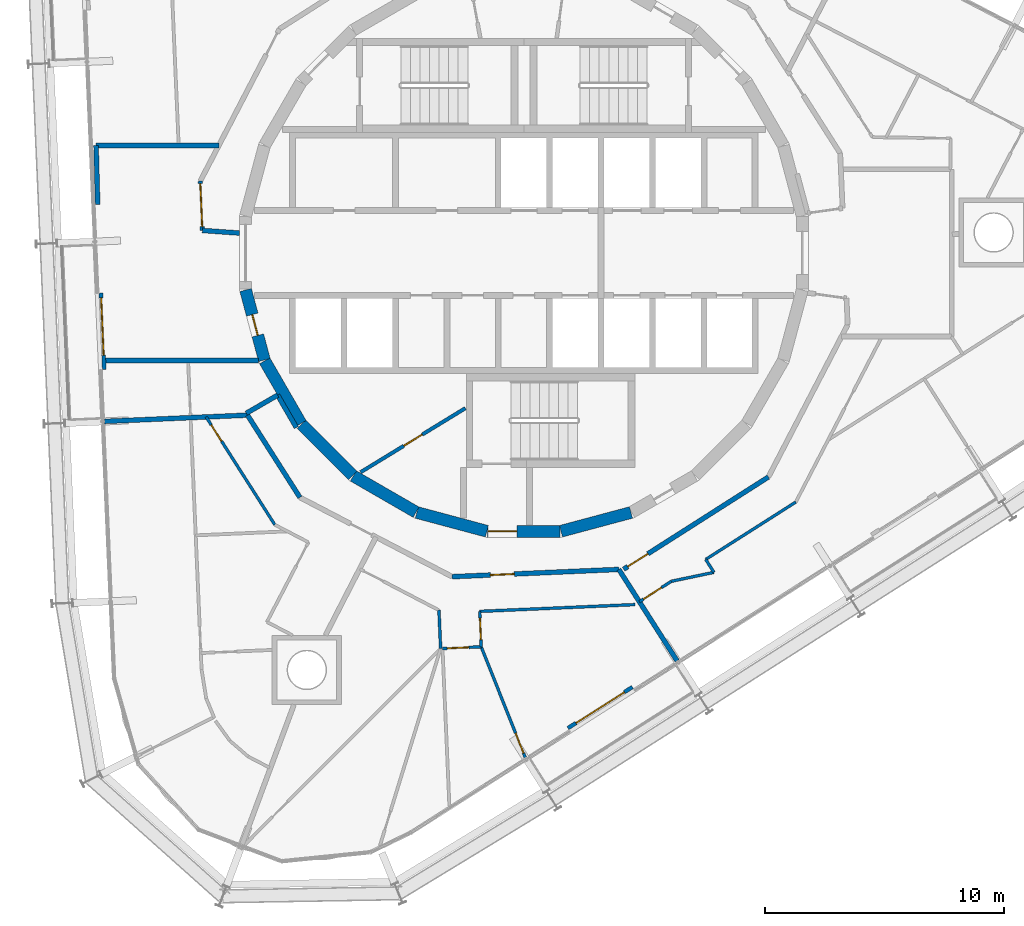
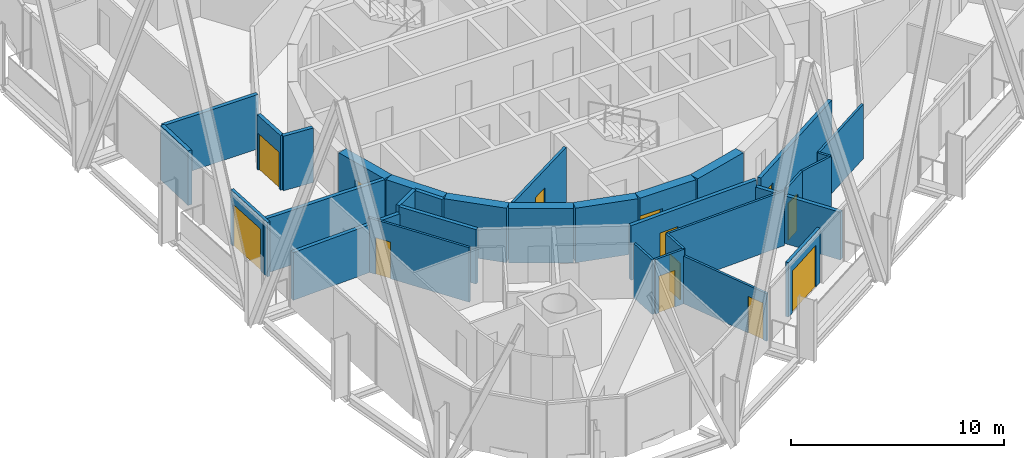
# One storey, part 12 of 18: 32 walls, 13 doors, 13 openings.
"""IFC4 building model written with IfcOpenShell, lengths in metres."""

from ifc_helpers import new_model, si_unit, direction, frame, frame_2d, origin, place, context, subcontext, project, spatial, rectangle, extrude, material, layer, layer_set, type_object, element, fill, save


model = new_model("IFC4")

# Units and contexts
model_context = context("Model", 3, precision=1e-05, world=origin(), true_north=direction((0.0, 1.0)))
body_context = subcontext(model_context, "Body", "Model", "MODEL_VIEW")
ifc_project = project(units=[si_unit("LENGTHUNIT", "METRE"), si_unit("AREAUNIT", "SQUARE_METRE"), si_unit("VOLUMEUNIT", "CUBIC_METRE"), si_unit("PLANEANGLEUNIT", "RADIAN"), si_unit("MASSUNIT", "GRAM", prefix="KILO")], contexts=[model_context])

# Site, building, storey
site_placement = place(None, origin())
site = spatial("IfcSite", under=ifc_project, at=site_placement, CompositionType="ELEMENT")
building_placement = place(site_placement, origin())
building = spatial("IfcBuilding", under=site, at=building_placement, Name="Spindle Arch Residences", CompositionType="ELEMENT")
storey_placement = place(building_placement, frame((0.0, 0.0, 240.699951171875)))
storey = spatial("IfcBuildingStorey", under=building, at=storey_placement, Name="L61", CompositionType="ELEMENT", Elevation=240.699951171875)

# Wall
ifc_material_1 = material(Name="Concrete C50/60", Category="concrete")
ifc_layer_1 = layer(ifc_material_1, 0.5)
ifc_layer_set_1 = layer_set([ifc_layer_1], Name="Core outline wall 500")
wall_type_1 = type_object("IfcWallType", Name="Core outline wall 500", PredefinedType="SHEAR", material=ifc_layer_set_1)
wall_1_placement = place(storey_placement, frame((1.5498046875, -11.642822265625, 0.0), z_axis=(0.0, 0.0, 1.0), x_axis=(0.965948410781, 0.258734743916, 0.0)))
element("IfcWall", 1, at=wall_1_placement, inside=storey, type_object=wall_type_1, Name="Core outline wall 1", PredefinedType="SHEAR", context=body_context, shape_type="SweptSolid", body=[
    extrude(rectangle(XDim=3.03271484375, YDim=0.5, at=frame_2d((1.516357421875, 0.0))), origin(), (0.0, 0.0, 1.0), 3.1201171875),
])

# Wall, opening, door
wall_2_placement = place(storey_placement, frame((-11.642822265625, -1.5498046875, 0.0), z_axis=(0.0, 0.0, 1.0), x_axis=(0.258734743916, -0.965948410781, 0.0)))
wall_2 = element("IfcWall", 2, at=wall_2_placement, inside=storey, type_object=wall_type_1, Name="Core outline wall 19", PredefinedType="SHEAR", context=body_context, shape_type="SweptSolid", body=[
    extrude(rectangle(XDim=3.03271484375, YDim=0.5, at=frame_2d((1.516357421875, 0.0))), origin(), (0.0, 0.0, 1.0), 3.1201171875),
])
opening_1_placement = place(wall_2_placement, frame((1.06640625, 0.0, 0.0)))
opening_1 = element("IfcOpeningElement", 3, at=opening_1_placement, cuts=wall_2, Name="Opening R6B0-WD11", PredefinedType="OPENING", context=body_context, shape_type="SweptSolid", body=[
    extrude(rectangle(XDim=0.89990234375, YDim=2.10009765625, at=frame_2d((0.449951171875, 1.050048828125))), frame((0.0, 0.260009765625, 0.0), z_axis=(0.0, -1.0, 0.0), x_axis=(1.0, 0.0, 0.0)), (0.0, 0.0, 1.0), 0.52001953125),
])
ifc_material_2 = material(Name="Steel, fire-resisting door", Category="steel")
door_type_1 = type_object("IfcDoorType", Name="Service room door 900x2100", OperationType="SINGLE_SWING_LEFT", PredefinedType="DOOR", material=ifc_material_2)
door_1_placement = place(opening_1_placement, origin())
door_1 = element("IfcDoor", 4, at=door_1_placement, inside=storey, type_object=door_type_1, Name="Service room door R6B0-WD11", OperationType="SINGLE_SWING_LEFT", OverallHeight=2.10009765625, OverallWidth=0.89990234375, PredefinedType="DOOR", context=body_context, shape_type="SweptSolid", body=[
    extrude(rectangle(XDim=0.89990234375, YDim=2.10009765625, at=frame_2d((0.449951171875, 1.050048828125))), frame((0.0, 0.02490234375, 0.0), z_axis=(0.0, -1.0, 0.0), x_axis=(1.0, 0.0, 0.0)), (0.0, 0.0, 1.0), 0.050048828125),
])
fill(opening_1, door_1)

# Walls
wall_3_placement = place(storey_placement, frame((-10.84521484375, -4.510498046875, 0.0), z_axis=(0.0, 0.0, 1.0), x_axis=(0.500087131594, -0.865975092491, 0.0)))
element("IfcWall", 5, at=wall_3_placement, inside=storey, type_object=wall_type_1, Name="Core outline wall 20", PredefinedType="SHEAR", context=body_context, shape_type="SweptSolid", body=[
    extrude(rectangle(XDim=3.03271484375, YDim=0.5, at=frame_2d((1.516357421875, 0.0))), origin(), (0.0, 0.0, 1.0), 3.1201171875),
])
wall_4_placement = place(storey_placement, frame((-9.30810546875, -7.163818359375, 0.0), z_axis=(0.0, 0.0, 1.0), x_axis=(0.707106781187, -0.707106781187, 0.0)))
element("IfcWall", 6, at=wall_4_placement, inside=storey, type_object=wall_type_1, Name="Core outline wall 21", PredefinedType="SHEAR", context=body_context, shape_type="SweptSolid", body=[
    extrude(rectangle(XDim=3.032470703125, YDim=0.5, at=frame_2d((1.51611328125, 0.0))), origin(), (0.0, 0.0, 1.0), 3.1201171875),
])
for number, where, z_axis, x_axis, name in (
    (7, (-7.13671875, -9.32861328125, 0.0), (0.0, 0.0, 1.0), (0.865975092491, -0.500087131594, 0.0), "Core outline wall 22"),
    (8, (-4.479248046875, -10.858154296875, 0.0), (0.0, 0.0, 1.0), (0.965948410781, -0.258734743916, 0.0), "Core outline wall 23"),
):
    element("IfcWall", number, at=place(storey_placement, frame(where, z_axis=z_axis, x_axis=x_axis)), inside=storey, type_object=wall_type_1, Name=name, PredefinedType="SHEAR", context=body_context, shape_type="SweptSolid", body=[
        extrude(rectangle(XDim=3.03271484375, YDim=0.5, at=frame_2d((1.516357421875, 0.0))), origin(), (0.0, 0.0, 1.0), 3.1201171875),
    ])

# Wall, opening, door
wall_5_placement = place(storey_placement, frame((-1.516357421875, -11.647216796875, 0.0), z_axis=(0.0, 0.0, 1.0), x_axis=(1.0, 0.0, 0.0)))
wall_5 = element("IfcWall", 9, at=wall_5_placement, inside=storey, type_object=wall_type_1, Name="Core outline wall 24", PredefinedType="SHEAR", context=body_context, shape_type="SweptSolid", body=[
    extrude(rectangle(XDim=3.03271484375, YDim=0.5, at=frame_2d((1.516357421875, 0.0))), origin(), (0.0, 0.0, 1.0), 3.1201171875),
])
opening_2_placement = place(wall_5_placement, frame((0.016357421875, 0.0, 0.0)))
opening_2 = element("IfcOpeningElement", 10, at=opening_2_placement, cuts=wall_5, Name="Opening R6B0-AD03", PredefinedType="OPENING", context=body_context, shape_type="SweptSolid", body=[
    extrude(rectangle(XDim=1.199951171875, YDim=2.10009765625, at=frame_2d((0.60009765625, 1.050048828125))), frame((0.0, 0.260009765625, 0.0), z_axis=(0.0, -1.0, 0.0), x_axis=(1.0, 0.0, 0.0)), (0.0, 0.0, 1.0), 0.52001953125),
])
ifc_material_3 = material(Name="Steel, fire-resisting door", Category="steel")
door_type_2 = type_object("IfcDoorType", Name="Stair airlock door 1200x2100", OperationType="SINGLE_SWING_LEFT", PredefinedType="DOOR", material=ifc_material_3)
door_2_placement = place(opening_2_placement, origin())
door_2 = element("IfcDoor", 11, at=door_2_placement, inside=storey, type_object=door_type_2, Name="Stair airlock door R6B0-AD03", OperationType="SINGLE_SWING_RIGHT", OverallHeight=2.10009765625, OverallWidth=1.199951171875, PredefinedType="DOOR", context=body_context, shape_type="SweptSolid", body=[
    extrude(rectangle(XDim=1.199951171875, YDim=2.10009765625, at=frame_2d((0.60009765625, 1.050048828125))), frame((0.0, 0.02490234375, 0.0), z_axis=(0.0, -1.0, 0.0), x_axis=(1.0, 0.0, 0.0)), (0.0, 0.0, 1.0), 0.050048828125),
])
fill(opening_2, door_2)

# Walls
ifc_material_4 = material(Name="Calcium silicate block, plastered")
ifc_layer_2 = layer(ifc_material_4, 0.199951171875)
ifc_layer_set_2 = layer_set([ifc_layer_2], Name="Corridor wall 200")
wall_type_2 = type_object("IfcWallType", Name="Corridor wall 200", PredefinedType="STANDARD", material=ifc_layer_set_2)
wall_6_placement = place(storey_placement, frame((-10.303466796875, -5.94873046875, 0.0), z_axis=(0.0, 0.0, 1.0), x_axis=(-0.866043382451, -0.499968858743, 0.0)))
element("IfcWall", 12, at=wall_6_placement, inside=storey, type_object=wall_type_2, Name="Corridor wall R6B0-W016", PredefinedType="STANDARD", context=body_context, shape_type="SweptSolid", body=[
    extrude(rectangle(XDim=1.51513671875, YDim=0.199951171875, at=frame_2d((0.757568359375, 0.0))), origin(), (0.0, 0.0, 1.0), 3.1201171875),
])
wall_7_placement = place(storey_placement, frame((-9.520263671875, -7.30517578125, 0.0), z_axis=(0.0, 0.0, 1.0), x_axis=(-0.500028278809, 0.866009076391, 0.0)))
element("IfcWall", 13, at=wall_7_placement, inside=storey, type_object=wall_type_2, Name="Corridor wall R6B0-W017", PredefinedType="STANDARD", context=body_context, shape_type="SweptSolid", body=[
    extrude(rectangle(XDim=1.56640625, YDim=0.199951171875, at=frame_2d((0.783203125, 0.0))), origin(), (0.0, 0.0, 1.0), 3.1201171875),
])
wall_8_placement = place(storey_placement, frame((-11.565185546875, -6.785888671875, 0.0), z_axis=(0.0, 0.0, 1.0), x_axis=(0.537297327359, -0.843392898958, 0.0)))
element("IfcWall", 14, at=wall_8_placement, inside=storey, type_object=wall_type_2, Name="Corridor wall R6B0-W018", PredefinedType="STANDARD", context=body_context, shape_type="SweptSolid", body=[
    extrude(rectangle(XDim=4.081298828125, YDim=0.199951171875, at=frame_2d((2.04052734375, 0.0))), origin(), (0.0, 0.0, 1.0), 3.1201171875),
])

# Wall, opening, door
wall_9_placement = place(storey_placement, frame((-3.002685546875, -13.5439453125, 0.0), z_axis=(0.0, 0.0, 1.0), x_axis=(0.999048221872, 0.043619380718, 0.0)))
wall_9 = element("IfcWall", 15, at=wall_9_placement, inside=storey, type_object=wall_type_2, Name="Corridor wall R6B0-W020", PredefinedType="STANDARD", context=body_context, shape_type="SweptSolid", body=[
    extrude(rectangle(XDim=6.9794921875, YDim=0.199951171875, at=frame_2d((3.48974609375, 0.0))), origin(), (0.0, 0.0, 1.0), 3.1201171875),
])
opening_3_placement = place(wall_9_placement, frame((1.60009765625, 0.0, 0.0)))
opening_3 = element("IfcOpeningElement", 16, at=opening_3_placement, cuts=wall_9, Name="Opening R6B0-FD05", PredefinedType="OPENING", context=body_context, shape_type="SweptSolid", body=[
    extrude(rectangle(XDim=1.0, YDim=2.10009765625, at=frame_2d((0.5, 1.050048828125))), frame((0.0, 0.10986328125, 0.0), z_axis=(0.0, -1.0, 0.0), x_axis=(1.0, 0.0, 0.0)), (0.0, 0.0, 1.0), 0.219970703125),
])
ifc_material_5 = material(Name="Timber, fire-resisting door set", Category="wood")
door_type_3 = type_object("IfcDoorType", Name="Flat entrance door 1000x2100", OperationType="NOTDEFINED", PredefinedType="DOOR", material=ifc_material_5)
door_3_placement = place(opening_3_placement, origin())
door_3 = element("IfcDoor", 17, at=door_3_placement, inside=storey, type_object=door_type_3, Name="Flat entrance door R6B0-FD05", OperationType="SINGLE_SWING_LEFT", OverallHeight=2.10009765625, OverallWidth=1.0, PredefinedType="DOOR", context=body_context, shape_type="SweptSolid", body=[
    extrude(rectangle(XDim=1.0, YDim=2.10009765625, at=frame_2d((0.5, 1.050048828125))), frame((0.0, 0.02490234375, 0.0), z_axis=(0.0, -1.0, 0.0), x_axis=(1.0, 0.0, 0.0)), (0.0, 0.0, 1.0), 0.050048828125),
])
fill(opening_3, door_3)

wall_10_placement = place(storey_placement, frame((4.171630859375, -13.230712890625, 0.0), z_axis=(0.0, 0.0, 1.0), x_axis=(0.843388394728, 0.537304397561, 0.0)))
wall_10 = element("IfcWall", 18, at=wall_10_placement, inside=storey, type_object=wall_type_2, Name="Corridor wall R6B0-W021", PredefinedType="STANDARD", context=body_context, shape_type="SweptSolid", body=[
    extrude(rectangle(XDim=7.180908203125, YDim=0.199951171875, at=frame_2d((3.59033203125, 0.0))), origin(), (0.0, 0.0, 1.0), 3.1201171875),
])
opening_4_placement = place(wall_10_placement, frame((0.199951171875, 0.0, 0.0)))
opening_4 = element("IfcOpeningElement", 19, at=opening_4_placement, cuts=wall_10, Name="Opening R6B0-FD06", PredefinedType="OPENING", context=body_context, shape_type="SweptSolid", body=[
    extrude(rectangle(XDim=1.0, YDim=2.10009765625, at=frame_2d((0.5, 1.050048828125))), frame((0.0, 0.10986328125, 0.0), z_axis=(0.0, -1.0, 0.0), x_axis=(1.0, 0.0, 0.0)), (0.0, 0.0, 1.0), 0.219970703125),
])
door_4_placement = place(opening_4_placement, origin())
door_4 = element("IfcDoor", 20, at=door_4_placement, inside=storey, type_object=door_type_3, Name="Flat entrance door R6B0-FD06", OperationType="SINGLE_SWING_LEFT", OverallHeight=2.10009765625, OverallWidth=1.0, PredefinedType="DOOR", context=body_context, shape_type="SweptSolid", body=[
    extrude(rectangle(XDim=1.0, YDim=2.10009765625, at=frame_2d((0.5, 1.050048828125))), frame((0.0, 0.02490234375, 0.0), z_axis=(0.0, -1.0, 0.0), x_axis=(1.0, 0.0, 0.0)), (0.0, 0.0, 1.0), 0.050048828125),
])
fill(opening_4, door_4)

ifc_material_6 = material(Name="Plasterboard on steel studs", Category="steel")
ifc_layer_3 = layer(ifc_material_6, 0.1201171875)
ifc_layer_set_3 = layer_set([ifc_layer_3], Name="Flat partition 120")
wall_type_3 = type_object("IfcWallType", Name="Flat partition 120", PredefinedType="PARTITIONING", material=ifc_layer_set_3)
wall_11_placement = place(storey_placement, frame((-13.29541015625, -6.861572265625, 0.0), z_axis=(0.0, 0.0, 1.0), x_axis=(0.537285929223, -0.84340016022, 0.0)))
wall_11 = element("IfcWall", 21, at=wall_11_placement, inside=storey, type_object=wall_type_3, Name="Flat partition R6B0-W073", PredefinedType="PARTITIONING", context=body_context, shape_type="SweptSolid", body=[
    extrude(rectangle(XDim=5.34912109375, YDim=0.1201171875, at=frame_2d((2.674560546875, 0.0))), origin(), (0.0, 0.0, 1.0), 3.1201171875),
])
opening_5_placement = place(wall_11_placement, frame((0.39990234375, 0.0, 0.0)))
opening_5 = element("IfcOpeningElement", 22, at=opening_5_placement, cuts=wall_11, Name="Opening R6B0-BD04", PredefinedType="OPENING", context=body_context, shape_type="SweptSolid", body=[
    extrude(rectangle(XDim=0.800048828125, YDim=2.10009765625, at=frame_2d((0.39990234375, 1.050048828125))), frame((0.0, 0.070068359375, 0.0), z_axis=(0.0, -1.0, 0.0), x_axis=(1.0, 0.0, 0.0)), (0.0, 0.0, 1.0), 0.14013671875),
])
ifc_material_7 = material(Name="Timber door set", Category="wood")
door_type_4 = type_object("IfcDoorType", Name="Bathroom door 800x2100", OperationType="NOTDEFINED", PredefinedType="DOOR", material=ifc_material_7)
door_5_placement = place(opening_5_placement, origin())
door_5 = element("IfcDoor", 23, at=door_5_placement, inside=storey, type_object=door_type_4, Name="Bathroom door R6B0-BD04", OperationType="SINGLE_SWING_RIGHT", OverallHeight=2.10009765625, OverallWidth=0.800048828125, PredefinedType="DOOR", context=body_context, shape_type="SweptSolid", body=[
    extrude(rectangle(XDim=0.800048828125, YDim=2.10009765625, at=frame_2d((0.39990234375, 1.050048828125))), frame((0.0, 0.02490234375, 0.0), z_axis=(0.0, -1.0, 0.0), x_axis=(1.0, 0.0, 0.0)), (0.0, 0.0, 1.0), 0.050048828125),
])
fill(opening_5, door_5)

# Wall
wall_12_placement = place(storey_placement, frame((-3.555419921875, -14.947021484375, 0.0), z_axis=(0.0, 0.0, 1.0), x_axis=(0.043470204022, -0.999054723908, 0.0)))
element("IfcWall", 24, at=wall_12_placement, inside=storey, type_object=wall_type_3, Name="Flat partition R6B0-W086", PredefinedType="PARTITIONING", context=body_context, shape_type="SweptSolid", body=[
    extrude(rectangle(XDim=1.606201171875, YDim=0.1201171875, at=frame_2d((0.80322265625, 0.0))), origin(), (0.0, 0.0, 1.0), 3.1201171875),
])

# Wall, opening, door
wall_13_placement = place(storey_placement, frame((-3.40673828125, -16.54833984375, 0.0), z_axis=(0.0, 0.0, 1.0), x_axis=(0.999045901572, 0.043672491929, 0.0)))
wall_13 = element("IfcWall", 25, at=wall_13_placement, inside=storey, type_object=wall_type_3, Name="Flat partition R6B0-W087", PredefinedType="PARTITIONING", context=body_context, shape_type="SweptSolid", body=[
    extrude(rectangle(XDim=1.62109375, YDim=0.1201171875, at=frame_2d((0.810546875, 0.0))), origin(), (0.0, 0.0, 1.0), 3.1201171875),
])
opening_6_placement = place(wall_13_placement, frame((0.199951171875, 0.0, 0.0)))
opening_6 = element("IfcOpeningElement", 26, at=opening_6_placement, cuts=wall_13, Name="Opening R6B0-ID19", PredefinedType="OPENING", context=body_context, shape_type="SweptSolid", body=[
    extrude(rectangle(XDim=0.89990234375, YDim=2.10009765625, at=frame_2d((0.449951171875, 1.050048828125))), frame((0.0, 0.070068359375, 0.0), z_axis=(0.0, -1.0, 0.0), x_axis=(1.0, 0.0, 0.0)), (0.0, 0.0, 1.0), 0.14013671875),
])
ifc_material_8 = material(Name="Timber door set", Category="wood")
door_type_5 = type_object("IfcDoorType", Name="Room door 900x2100", OperationType="NOTDEFINED", PredefinedType="DOOR", material=ifc_material_8)
door_6_placement = place(opening_6_placement, origin())
door_6 = element("IfcDoor", 27, at=door_6_placement, inside=storey, type_object=door_type_5, Name="Room door R6B0-ID19", OperationType="SINGLE_SWING_LEFT", OverallHeight=2.10009765625, OverallWidth=0.89990234375, PredefinedType="DOOR", context=body_context, shape_type="SweptSolid", body=[
    extrude(rectangle(XDim=0.89990234375, YDim=2.10009765625, at=frame_2d((0.449951171875, 1.050048828125))), frame((0.0, 0.02490234375, 0.0), z_axis=(0.0, -1.0, 0.0), x_axis=(1.0, 0.0, 0.0)), (0.0, 0.0, 1.0), 0.050048828125),
])
fill(opening_6, door_6)

wall_14_placement = place(storey_placement, frame((-1.787109375, -16.4775390625, 0.0), z_axis=(0.0, 0.0, 1.0), x_axis=(-0.043601447011, 0.999049004713, 0.0)))
wall_14 = element("IfcWall", 28, at=wall_14_placement, inside=storey, type_object=wall_type_3, Name="Flat partition R6B0-W088", PredefinedType="PARTITIONING", context=body_context, shape_type="SweptSolid", body=[
    extrude(rectangle(XDim=1.48388671875, YDim=0.1201171875, at=frame_2d((0.741943359375, 0.0))), origin(), (0.0, 0.0, 1.0), 3.1201171875),
])
opening_7_placement = place(wall_14_placement, frame((0.300048828125, 0.0, 0.0)))
opening_7 = element("IfcOpeningElement", 29, at=opening_7_placement, cuts=wall_14, Name="Opening R6B0-ID20", PredefinedType="OPENING", context=body_context, shape_type="SweptSolid", body=[
    extrude(rectangle(XDim=0.89990234375, YDim=2.10009765625, at=frame_2d((0.449951171875, 1.050048828125))), frame((0.0, 0.070068359375, 0.0), z_axis=(0.0, -1.0, 0.0), x_axis=(1.0, 0.0, 0.0)), (0.0, 0.0, 1.0), 0.14013671875),
])
door_7_placement = place(opening_7_placement, origin())
door_7 = element("IfcDoor", 30, at=door_7_placement, inside=storey, type_object=door_type_5, Name="Room door R6B0-ID20", OperationType="SINGLE_SWING_LEFT", OverallHeight=2.10009765625, OverallWidth=0.89990234375, PredefinedType="DOOR", context=body_context, shape_type="SweptSolid", body=[
    extrude(rectangle(XDim=0.89990234375, YDim=2.10009765625, at=frame_2d((0.449951171875, 1.050048828125))), frame((0.0, 0.02490234375, 0.0), z_axis=(0.0, -1.0, 0.0), x_axis=(1.0, 0.0, 0.0)), (0.0, 0.0, 1.0), 0.050048828125),
])
fill(opening_7, door_7)

# Wall
wall_15_placement = place(storey_placement, frame((-1.851806640625, -14.9951171875, 0.0), z_axis=(0.0, 0.0, 1.0), x_axis=(0.999047773092, 0.043629658249, 0.0)))
element("IfcWall", 31, at=wall_15_placement, inside=storey, type_object=wall_type_3, Name="Flat partition R6B0-W089", PredefinedType="PARTITIONING", context=body_context, shape_type="SweptSolid", body=[
    extrude(rectangle(XDim=6.49658203125, YDim=0.1201171875, at=frame_2d((3.248291015625, 0.0))), origin(), (0.0, 0.0, 1.0), 3.1201171875),
])

# Wall, opening, door
wall_16_placement = place(storey_placement, frame((4.830322265625, -14.589599609375, 0.0), z_axis=(0.0, 0.0, 1.0), x_axis=(0.843395898817, 0.537292618467, 0.0)))
wall_16 = element("IfcWall", 32, at=wall_16_placement, inside=storey, type_object=wall_type_3, Name="Flat partition R6B0-W094", PredefinedType="PARTITIONING", context=body_context, shape_type="SweptSolid", body=[
    extrude(rectangle(XDim=1.59033203125, YDim=0.1201171875, at=frame_2d((0.795166015625, 0.0))), origin(), (0.0, 0.0, 1.0), 3.1201171875),
])
opening_8_placement = place(wall_16_placement, frame((0.199951171875, 0.0, 0.0)))
opening_8 = element("IfcOpeningElement", 33, at=opening_8_placement, cuts=wall_16, Name="Opening R6B0-ID23", PredefinedType="OPENING", context=body_context, shape_type="SweptSolid", body=[
    extrude(rectangle(XDim=0.89990234375, YDim=2.10009765625, at=frame_2d((0.449951171875, 1.050048828125))), frame((0.0, 0.070068359375, 0.0), z_axis=(0.0, -1.0, 0.0), x_axis=(1.0, 0.0, 0.0)), (0.0, 0.0, 1.0), 0.14013671875),
])
door_8_placement = place(opening_8_placement, origin())
door_8 = element("IfcDoor", 34, at=door_8_placement, inside=storey, type_object=door_type_5, Name="Room door R6B0-ID23", OperationType="SINGLE_SWING_LEFT", OverallHeight=2.10009765625, OverallWidth=0.89990234375, PredefinedType="DOOR", context=body_context, shape_type="SweptSolid", body=[
    extrude(rectangle(XDim=0.89990234375, YDim=2.10009765625, at=frame_2d((0.449951171875, 1.050048828125))), frame((0.0, 0.02490234375, 0.0), z_axis=(0.0, -1.0, 0.0), x_axis=(1.0, 0.0, 0.0)), (0.0, 0.0, 1.0), 0.050048828125),
])
fill(opening_8, door_8)

# Walls
wall_17_placement = place(storey_placement, frame((6.171630859375, -13.735107421875, 0.0), z_axis=(0.0, 0.0, 1.0), x_axis=(0.978659442958, 0.205488916271, 0.0)))
element("IfcWall", 35, at=wall_17_placement, inside=storey, type_object=wall_type_3, Name="Flat partition R6B0-W095", PredefinedType="PARTITIONING", context=body_context, shape_type="SweptSolid", body=[
    extrude(rectangle(XDim=1.816650390625, YDim=0.1201171875, at=frame_2d((0.908203125, 0.0))), origin(), (0.0, 0.0, 1.0), 3.1201171875),
])
wall_18_placement = place(storey_placement, frame((7.949462890625, -13.36181640625, 0.0), z_axis=(0.0, 0.0, 1.0), x_axis=(-0.537343932066, 0.843363206852, 0.0)))
element("IfcWall", 36, at=wall_18_placement, inside=storey, type_object=wall_type_3, Name="Flat partition R6B0-W096", PredefinedType="PARTITIONING", context=body_context, shape_type="SweptSolid", body=[
    extrude(rectangle(XDim=0.640625, YDim=0.1201171875, at=frame_2d((0.3203125, 0.0))), origin(), (0.0, 0.0, 1.0), 3.1201171875),
])
wall_19_placement = place(storey_placement, frame((7.605224609375, -12.821533203125, 0.0), z_axis=(0.0, 0.0, 1.0), x_axis=(0.843413865585, 0.537264414733, 0.0)))
element("IfcWall", 37, at=wall_19_placement, inside=storey, type_object=wall_type_3, Name="Flat partition R6B0-W097", PredefinedType="PARTITIONING", context=body_context, shape_type="SweptSolid", body=[
    extrude(rectangle(XDim=4.46728515625, YDim=0.1201171875, at=frame_2d((2.233642578125, 0.0))), origin(), (0.0, 0.0, 1.0), 3.1201171875),
])

# Wall, opening, door
ifc_material_9 = material(Name="Plasterboard on steel studs", Category="steel")
ifc_layer_4 = layer(ifc_material_9, 0.1201171875)
ifc_layer_set_4 = layer_set([ifc_layer_4], Name="Flat partition 120 under beam 2730")
wall_type_4 = type_object("IfcWallType", Name="Flat partition 120 under beam 2730", PredefinedType="PARTITIONING", material=ifc_layer_set_4)
wall_20_placement = place(storey_placement, frame((0.05615234375, -21.110107421875, 0.0), z_axis=(0.0, 0.0, 1.0), x_axis=(-0.369701541807, 0.929150563679, 0.0)))
wall_20 = element("IfcWall", 38, at=wall_20_placement, inside=storey, type_object=wall_type_4, Name="Flat partition R6B0-W093", PredefinedType="PARTITIONING", context=body_context, shape_type="SweptSolid", body=[
    extrude(rectangle(XDim=4.98583984375, YDim=0.1201171875, at=frame_2d((2.492919921875, 0.0))), origin(), (0.0, 0.0, 1.0), 2.72998046875),
])
opening_9_placement = place(wall_20_placement, frame((0.199951171875, 0.0, 0.0)))
opening_9 = element("IfcOpeningElement", 39, at=opening_9_placement, cuts=wall_20, Name="Opening R6B0-ID22", PredefinedType="OPENING", context=body_context, shape_type="SweptSolid", body=[
    extrude(rectangle(XDim=0.89990234375, YDim=2.10009765625, at=frame_2d((0.449951171875, 1.050048828125))), frame((0.0, 0.070068359375, 0.0), z_axis=(0.0, -1.0, 0.0), x_axis=(1.0, 0.0, 0.0)), (0.0, 0.0, 1.0), 0.14013671875),
])
door_9_placement = place(opening_9_placement, origin())
door_9 = element("IfcDoor", 40, at=door_9_placement, inside=storey, type_object=door_type_5, Name="Room door R6B0-ID22", OperationType="SINGLE_SWING_LEFT", OverallHeight=2.10009765625, OverallWidth=0.89990234375, PredefinedType="DOOR", context=body_context, shape_type="SweptSolid", body=[
    extrude(rectangle(XDim=0.89990234375, YDim=2.10009765625, at=frame_2d((0.449951171875, 1.050048828125))), frame((0.0, 0.02490234375, 0.0), z_axis=(0.0, -1.0, 0.0), x_axis=(1.0, 0.0, 0.0)), (0.0, 0.0, 1.0), 0.050048828125),
])
fill(opening_9, door_9)

# Walls
ifc_material_10 = material(Name="Calcium silicate block, plastered")
ifc_layer_5 = layer(ifc_material_10, 0.199951171875)
ifc_layer_set_5 = layer_set([ifc_layer_5], Name="Flat party wall 200 under beam 2730")
wall_type_5 = type_object("IfcWallType", Name="Flat party wall 200 under beam 2730", PredefinedType="STANDARD", material=ifc_layer_set_5)
wall_21_placement = place(storey_placement, frame((-17.543701171875, -7.047119140625, 0.0), z_axis=(0.0, 0.0, 1.0), x_axis=(0.999046743906, 0.043653218555, 0.0)))
element("IfcWall", 41, at=wall_21_placement, inside=storey, type_object=wall_type_5, Name="Flat party wall R6B0-W034", PredefinedType="STANDARD", context=body_context, shape_type="SweptSolid", body=[
    extrude(rectangle(XDim=5.984130859375, YDim=0.199951171875, at=frame_2d((2.9921875, 0.0))), origin(), (0.0, 0.0, 1.0), 2.72998046875),
])
wall_22_placement = place(storey_placement, frame((6.406982421875, -17.064208984375, 0.0), z_axis=(0.0, 0.0, 1.0), x_axis=(-0.537324777979, 0.843375410461, 0.0)))
element("IfcWall", 42, at=wall_22_placement, inside=storey, type_object=wall_type_5, Name="Flat party wall R6B0-W037", PredefinedType="STANDARD", context=body_context, shape_type="SweptSolid", body=[
    extrude(rectangle(XDim=4.534912109375, YDim=0.199951171875, at=frame_2d((2.267578125, 0.0))), origin(), (0.0, 0.0, 1.0), 2.72998046875),
])

# Wall, opening, door
ifc_material_11 = material(Name="Non-combustible mineral wool insulated aluminium faced external wall (K0)", Category="aluminium")
ifc_layer_6 = layer(ifc_material_11, 0.159912109375)
ifc_layer_set_6 = layer_set([ifc_layer_6], Name="Insulated external wall panel 160")
wall_type_6 = type_object("IfcWallType", Name="Insulated external wall panel 160", PredefinedType="STANDARD", material=ifc_layer_set_6)
wall_23_placement = place(storey_placement, frame((-17.69775390625, -1.68359375, 0.0), z_axis=(0.0, 0.0, 1.0), x_axis=(0.043639181999, -0.999047357133, 0.0)))
wall_23 = element("IfcWall", 43, at=wall_23_placement, inside=storey, type_object=wall_type_6, Name="External wall L61 bay 15", PredefinedType="STANDARD", context=body_context, shape_type="SweptSolid", body=[
    extrude(rectangle(XDim=3.199951171875, YDim=0.159912109375, at=frame_2d((1.60009765625, 0.0))), origin(), (0.0, 0.0, 1.0), 3.1201171875),
])
opening_10_placement = place(wall_23_placement, frame((0.199951171875, 0.0, 0.0)))
opening_10 = element("IfcOpeningElement", 44, at=opening_10_placement, cuts=wall_23, Name="Opening BD15", PredefinedType="OPENING", context=body_context, shape_type="SweptSolid", body=[
    extrude(rectangle(XDim=2.39990234375, YDim=2.39990234375, at=frame_2d((1.199951171875, 1.199951171875))), frame((0.0, 0.08984375, 0.0), z_axis=(0.0, -1.0, 0.0), x_axis=(1.0, 0.0, 0.0)), (0.0, 0.0, 1.0), 0.179931640625),
])
ifc_material_12 = material(Name="Bronze aluminium frame, tinted double glazing", Category="aluminium")
door_type_6 = type_object("IfcDoorType", Name="Sliding glazed balcony door 2400x2400", OperationType="DOUBLE_DOOR_SLIDING", PredefinedType="DOOR", material=ifc_material_12)
door_10_placement = place(opening_10_placement, origin())
door_10 = element("IfcDoor", 45, at=door_10_placement, inside=storey, type_object=door_type_6, Name="Balcony door BD15", OperationType="DOUBLE_DOOR_SLIDING", OverallHeight=2.39990234375, OverallWidth=2.39990234375, PredefinedType="DOOR", context=body_context, shape_type="SweptSolid", body=[
    extrude(rectangle(XDim=2.39990234375, YDim=2.39990234375, at=frame_2d((1.199951171875, 1.199951171875))), frame((0.0, 0.02490234375, 0.0), z_axis=(0.0, -1.0, 0.0), x_axis=(1.0, 0.0, 0.0)), (0.0, 0.0, 1.0), 0.050048828125),
])
fill(opening_10, door_10)

wall_24_placement = place(storey_placement, frame((1.839111328125, -19.87939453125, 0.0), z_axis=(0.0, 0.0, 1.0), x_axis=(0.843419508298, 0.53725555653, 0.0)))
wall_24 = element("IfcWall", 46, at=wall_24_placement, inside=storey, type_object=wall_type_6, Name="External wall L61 bay 21", PredefinedType="STANDARD", context=body_context, shape_type="SweptSolid", body=[
    extrude(rectangle(XDim=3.199951171875, YDim=0.159912109375, at=frame_2d((1.60009765625, 0.0))), origin(), (0.0, 0.0, 1.0), 3.1201171875),
])
opening_11_placement = place(wall_24_placement, frame((0.39990234375, 0.0, 0.0)))
opening_11 = element("IfcOpeningElement", 47, at=opening_11_placement, cuts=wall_24, Name="Opening BD21", PredefinedType="OPENING", context=body_context, shape_type="SweptSolid", body=[
    extrude(rectangle(XDim=2.39990234375, YDim=2.39990234375, at=frame_2d((1.199951171875, 1.199951171875))), frame((0.0, 0.08984375, 0.0), z_axis=(0.0, -1.0, 0.0), x_axis=(1.0, 0.0, 0.0)), (0.0, 0.0, 1.0), 0.179931640625),
])
door_11_placement = place(opening_11_placement, origin())
door_11 = element("IfcDoor", 48, at=door_11_placement, inside=storey, type_object=door_type_6, Name="Balcony door BD21", OperationType="DOUBLE_DOOR_SLIDING", OverallHeight=2.39990234375, OverallWidth=2.39990234375, PredefinedType="DOOR", context=body_context, shape_type="SweptSolid", body=[
    extrude(rectangle(XDim=2.39990234375, YDim=2.39990234375, at=frame_2d((1.199951171875, 1.199951171875))), frame((0.0, 0.02490234375, 0.0), z_axis=(0.0, -1.0, 0.0), x_axis=(1.0, 0.0, 0.0)), (0.0, 0.0, 1.0), 0.050048828125),
])
fill(opening_11, door_11)

ifc_material_13 = material(Name="Calcium silicate block, plastered")
ifc_layer_7 = layer(ifc_material_13, 0.199951171875)
ifc_layer_set_7 = layer_set([ifc_layer_7], Name="Lift lobby bay wall 200")
wall_type_7 = type_object("IfcWallType", Name="Lift lobby bay wall 200", PredefinedType="STANDARD", material=ifc_layer_set_7)
wall_25_placement = place(storey_placement, frame((-13.5439453125, 3.002685546875, 0.0), z_axis=(0.0, 0.0, 1.0), x_axis=(0.043652842459, -0.99904676034, 0.0)))
wall_25 = element("IfcWall", 49, at=wall_25_placement, inside=storey, type_object=wall_type_7, Name="Lift lobby bay wall R6B0-W008", PredefinedType="STANDARD", context=body_context, shape_type="SweptSolid", body=[
    extrude(rectangle(XDim=2.063720703125, YDim=0.199951171875, at=frame_2d((1.03173828125, 0.0))), origin(), (0.0, 0.0, 1.0), 3.1201171875),
])
opening_12_placement = place(wall_25_placement, frame((0.10009765625, 0.0, 0.0)))
opening_12 = element("IfcOpeningElement", 50, at=opening_12_placement, cuts=wall_25, Name="Opening R6B0-LB01", PredefinedType="OPENING", context=body_context, shape_type="SweptSolid", body=[
    extrude(rectangle(XDim=1.800048828125, YDim=2.10009765625, at=frame_2d((0.89990234375, 1.050048828125))), frame((0.0, 0.10986328125, 0.0), z_axis=(0.0, -1.0, 0.0), x_axis=(1.0, 0.0, 0.0)), (0.0, 0.0, 1.0), 0.219970703125),
])
ifc_material_14 = material(Name="Steel, fire-resisting door", Category="steel")
door_type_7 = type_object("IfcDoorType", Name="Lift lobby bay door 1800x2100", OperationType="NOTDEFINED", PredefinedType="DOOR", material=ifc_material_14)
door_12_placement = place(opening_12_placement, origin())
door_12 = element("IfcDoor", 51, at=door_12_placement, inside=storey, type_object=door_type_7, Name="Lift lobby bay door R6B0-LB01", OperationType="DOUBLE_DOOR_SINGLE_SWING", OverallHeight=2.10009765625, OverallWidth=1.800048828125, PredefinedType="DOOR", context=body_context, shape_type="SweptSolid", body=[
    extrude(rectangle(XDim=1.800048828125, YDim=2.10009765625, at=frame_2d((0.89990234375, 1.050048828125))), frame((0.0, 0.02490234375, 0.0), z_axis=(0.0, -1.0, 0.0), x_axis=(1.0, 0.0, 0.0)), (0.0, 0.0, 1.0), 0.050048828125),
])
fill(opening_12, door_12)

# Walls
wall_26_placement = place(storey_placement, frame((-13.453857421875, 0.94091796875, 0.0), z_axis=(0.0, 0.0, 1.0), x_axis=(0.99755155062, -0.069934997354, 0.0)))
element("IfcWall", 52, at=wall_26_placement, inside=storey, type_object=wall_type_7, Name="Lift lobby bay wall R6B0-W009", PredefinedType="STANDARD", context=body_context, shape_type="SweptSolid", body=[
    extrude(rectangle(XDim=1.560546875, YDim=0.199951171875, at=frame_2d((0.7802734375, 0.0))), origin(), (0.0, 0.0, 1.0), 3.1201171875),
])
wall_27_placement = place(storey_placement, frame((-12.764404296875, 4.5, 0.0), z_axis=(0.0, 0.0, 1.0), x_axis=(-1.0, 0.0, 0.0)))
element("IfcWall", 53, at=wall_27_placement, inside=storey, type_object=wall_type_7, Name="Lift lobby bay wall R6B0-W022", PredefinedType="STANDARD", context=body_context, shape_type="SweptSolid", body=[
    extrude(rectangle(XDim=5.135498046875, YDim=0.199951171875, at=frame_2d((2.56787109375, 0.0))), origin(), (0.0, 0.0, 1.0), 3.1201171875),
])
wall_28_placement = place(storey_placement, frame((-17.89990234375, 4.5, 0.0), z_axis=(0.0, 0.0, 1.0), x_axis=(0.027204178319, -0.999629897853, 0.0)))
element("IfcWall", 54, at=wall_28_placement, inside=storey, type_object=wall_type_7, Name="Lift lobby bay wall R6B0-W023", PredefinedType="STANDARD", context=body_context, shape_type="SweptSolid", body=[
    extrude(rectangle(XDim=2.468017578125, YDim=0.199951171875, at=frame_2d((1.23388671875, 0.0))), origin(), (0.0, 0.0, 1.0), 3.1201171875),
])
wall_29_placement = place(storey_placement, frame((-17.65478515625, -4.5, 0.0), z_axis=(0.0, 0.0, 1.0), x_axis=(1.0, 0.0, 0.0)))
element("IfcWall", 55, at=wall_29_placement, inside=storey, type_object=wall_type_7, Name="Lift lobby bay wall R6B0-W024", PredefinedType="STANDARD", context=body_context, shape_type="SweptSolid", body=[
    extrude(rectangle(XDim=6.54345703125, YDim=0.199951171875, at=frame_2d((3.271728515625, 0.0))), origin(), (0.0, 0.0, 1.0), 3.1201171875),
])

# Wall, opening, door
ifc_material_15 = material(Name="Concrete C25/30", Category="concrete")
ifc_layer_8 = layer(ifc_material_15, 0.14990234375)
ifc_layer_set_8 = layer_set([ifc_layer_8], Name="Service room partition 150")
wall_type_8 = type_object("IfcWallType", Name="Service room partition 150", PredefinedType="PARTITIONING", material=ifc_layer_set_8)
wall_30_placement = place(storey_placement, frame((-2.451171875, -6.49462890625, 0.0), z_axis=(0.0, 0.0, 1.0), x_axis=(-0.853250115418, -0.521501908471, 0.0)))
wall_30 = element("IfcWall", 56, at=wall_30_placement, inside=storey, type_object=wall_type_8, Name="Core service room partition", PredefinedType="PARTITIONING", context=body_context, shape_type="SweptSolid", body=[
    extrude(rectangle(XDim=5.137451171875, YDim=0.14990234375, at=frame_2d((2.56884765625, 0.0))), origin(), (0.0, 0.0, 1.0), 3.1201171875),
])
opening_13_placement = place(wall_30_placement, frame((2.11865234375, 0.0, 0.0)))
opening_13 = element("IfcOpeningElement", 57, at=opening_13_placement, cuts=wall_30, Name="Opening R6B0-WD07", PredefinedType="OPENING", context=body_context, shape_type="SweptSolid", body=[
    extrude(rectangle(XDim=0.89990234375, YDim=2.10009765625, at=frame_2d((0.449951171875, 1.050048828125))), frame((0.0, 0.0849609375, 0.0), z_axis=(0.0, -1.0, 0.0), x_axis=(1.0, 0.0, 0.0)), (0.0, 0.0, 1.0), 0.169921875),
])
door_13_placement = place(opening_13_placement, origin())
door_13 = element("IfcDoor", 58, at=door_13_placement, inside=storey, type_object=door_type_1, Name="Service room door R6B0-WD07", OperationType="SINGLE_SWING_LEFT", OverallHeight=2.10009765625, OverallWidth=0.89990234375, PredefinedType="DOOR", context=body_context, shape_type="SweptSolid", body=[
    extrude(rectangle(XDim=0.89990234375, YDim=2.10009765625, at=frame_2d((0.449951171875, 1.050048828125))), frame((0.0, 0.02490234375, 0.0), z_axis=(0.0, -1.0, 0.0), x_axis=(1.0, 0.0, 0.0)), (0.0, 0.0, 1.0), 0.050048828125),
])
fill(opening_13, door_13)

save(model, "model.ifc")
